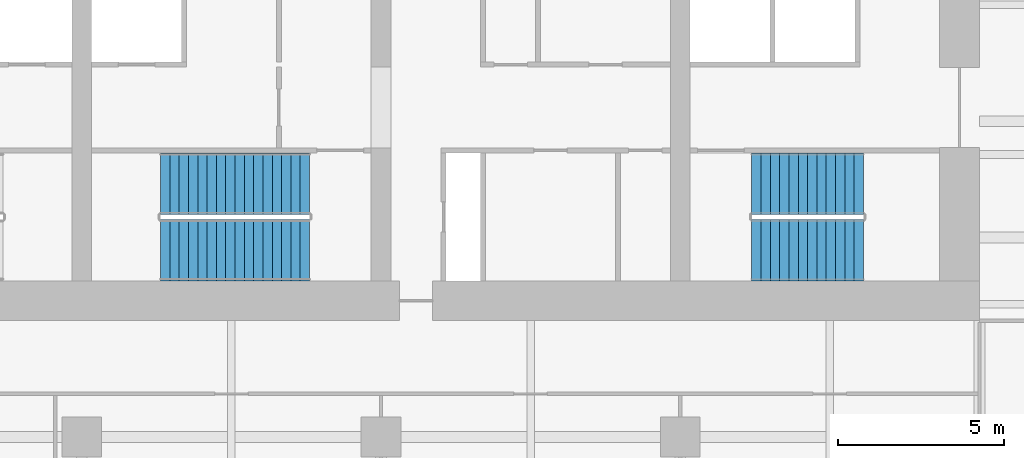
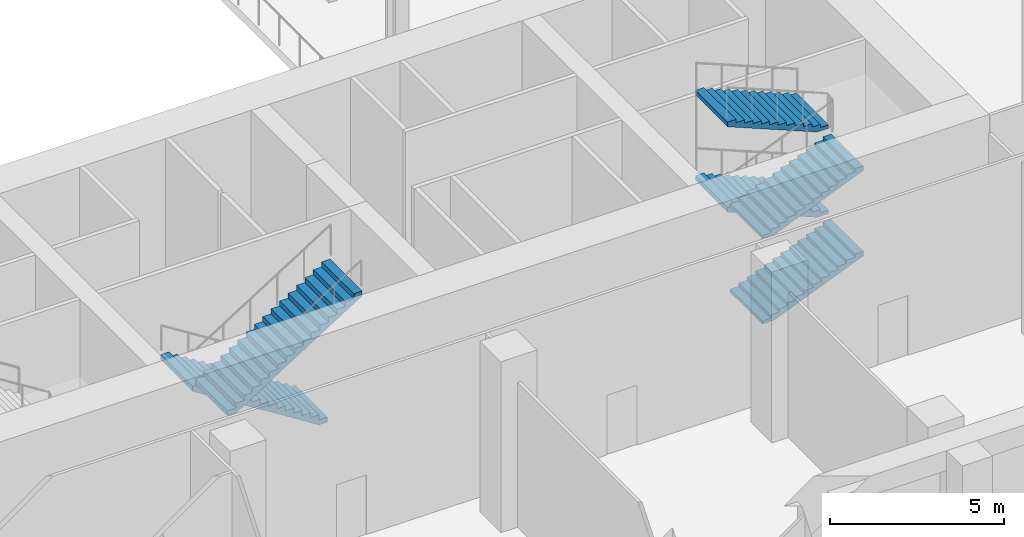
# One storey, part 9 of 13: 6 stair flights, 2 elements without a shape of their own.
"""IFC4 building model written with IfcOpenShell, lengths in metres."""

import ifcopenshell
import ifcopenshell.guid

model = None  # the IFC model being written
_history = None  # IfcOwnerHistory: only IFC2X3 demands one
_inside = {}  # id of a spatial element -> (the spatial element, [elements in it])
_under = {}  # id of a project, library or spatial element -> (it, [spatial elements below it])
_declared = {}  # id of a project -> (the project, [libraries it declares])
_typed = {}  # id of a type object -> (the type object, [elements of that type])
_made_of = {}  # id of a material, layer set ... -> (it, [elements and type objects made of it])


def new_model(schema):
    """Start an empty IFC model of exactly this schema.

    Asked for "IFC4X3", IfcOpenShell would pick the latest addendum, in which some entities
    have other attributes; the version numbers below select the first issue.
    IFC2X3 requires an IfcOwnerHistory on every rooted entity: one is made here for all.
    """
    global model, _history
    if schema == "IFC4X3":
        model = ifcopenshell.file(schema_version=(4, 3, 0, 0))
    else:
        model = ifcopenshell.file(schema=schema)
    _inside.clear()
    _under.clear()
    _declared.clear()
    _typed.clear()
    _made_of.clear()
    _history = None
    if model.schema == "IFC2X3":
        org = make("IfcOrganization", Name="unknown")
        user = make(
            "IfcPersonAndOrganization",
            ThePerson=make("IfcPerson", FamilyName="unknown"),
            TheOrganization=org,
        )
        app = make(
            "IfcApplication",
            ApplicationDeveloper=org,
            Version="unknown",
            ApplicationFullName="unknown",
            ApplicationIdentifier="unknown",
        )
        _history = make(
            "IfcOwnerHistory",
            OwningUser=user,
            OwningApplication=app,
            ChangeAction="ADDED",
            CreationDate=0,
        )
    return model


def make(cls, **values):
    """One entity of the class cls with the attributes given. An attribute that is None is left unset."""
    return model.create_entity(
        cls, **{name: value for name, value in values.items() if value is not None}
    )


def rooted(cls, **values):
    """An entity with a GlobalId (a new one), such as an element, a storey or a relation."""
    return make(cls, GlobalId=ifcopenshell.guid.new(), OwnerHistory=_history, **values)


def si_unit(unit_type, name, prefix=None):
    """IfcSIUnit, for example si_unit("LENGTHUNIT", "METRE", prefix="MILLI")."""
    return make("IfcSIUnit", UnitType=unit_type, Prefix=prefix, Name=name)


def assignment(units):
    """IfcUnitAssignment: the units of a project."""
    return None if units is None else make("IfcUnitAssignment", Units=units)


def point(xyz):
    """IfcCartesianPoint."""
    return None if xyz is None else make("IfcCartesianPoint", Coordinates=xyz)


def direction(xyz):
    """IfcDirection."""
    return None if xyz is None else make("IfcDirection", DirectionRatios=xyz)


def frame(location, z_axis=None, x_axis=None):
    """IfcAxis2Placement3D, a coordinate frame: its origin and axes. An axis left out is left unset."""
    return make(
        "IfcAxis2Placement3D",
        Location=point(location),
        Axis=direction(z_axis),
        RefDirection=direction(x_axis),
    )


def origin():
    """The frame at (0, 0, 0) with its axes left unset."""
    return frame((0.0, 0.0, 0.0))


def place(relative_to, where):
    """IfcLocalPlacement: puts the frame where relative to a parent placement (None: the world)."""
    return make(
        "IfcLocalPlacement", PlacementRelTo=relative_to, RelativePlacement=where
    )


def context(
    kind, dimensions, precision=None, world=None, true_north=None, identifier=None
):
    """IfcGeometricRepresentationContext, for example the 3D "Model" context."""
    return make(
        "IfcGeometricRepresentationContext",
        ContextIdentifier=identifier,
        ContextType=kind,
        CoordinateSpaceDimension=dimensions,
        Precision=precision,
        WorldCoordinateSystem=world,
        TrueNorth=true_north,
    )


def subcontext(parent, identifier, kind, view, scale=None):
    """IfcGeometricRepresentationSubContext, for example "Body" below "Model"."""
    return make(
        "IfcGeometricRepresentationSubContext",
        ContextIdentifier=identifier,
        ContextType=kind,
        ParentContext=parent,
        TargetScale=scale,
        TargetView=view,
    )


def project(units=None, contexts=None):
    """IfcProject with its units and contexts."""
    return rooted(
        "IfcProject",
        Name="project",
        RepresentationContexts=contexts,
        UnitsInContext=assignment(units),
    )


def spatial(cls, under=None, at=None, **own):
    """A site, building, storey or space (cls), placed at a placement, below another one or the project."""
    s = rooted(cls, ObjectPlacement=at, **own)
    if under is not None:
        _under.setdefault(under.id(), (under, []))[1].append(s)
    return s


def polyline(points):
    """IfcPolyline through the points."""
    return make("IfcPolyline", Points=[point(p) for p in points])


def outline(outer, holes=None, kind="AREA"):
    """IfcArbitraryClosedProfileDef: a profile drawn as a closed curve; with holes, ...WithVoids."""
    if holes is None:
        return make("IfcArbitraryClosedProfileDef", ProfileType=kind, OuterCurve=outer)
    return make(
        "IfcArbitraryProfileDefWithVoids",
        ProfileType=kind,
        OuterCurve=outer,
        InnerCurves=holes,
    )


def extrude(swept, where, along, depth):
    """IfcExtrudedAreaSolid: the profile swept, set in the frame where, extruded along a direction by depth."""
    return make(
        "IfcExtrudedAreaSolid",
        SweptArea=swept,
        Position=where,
        ExtrudedDirection=direction(along),
        Depth=depth,
    )


def shape(context_of_items, identifier, shape_type, items):
    """IfcShapeRepresentation: the items that make up one representation, for example the "Body"."""
    return make(
        "IfcShapeRepresentation",
        ContextOfItems=context_of_items,
        RepresentationIdentifier=identifier,
        RepresentationType=shape_type,
        Items=items,
    )


def material(Name=None, Category=None):
    """IfcMaterial."""
    return make("IfcMaterial", Name=Name, Category=Category)


def made_of(thing, what):
    """Note that an element or type object is made of a material, layer set ...; save() writes the relation."""
    if what is not None:
        _made_of.setdefault(what.id(), (what, []))[1].append(thing)
    return thing


def type_object(cls, material=None, **own):
    """A type object (cls), such as IfcWallType, which elements share."""
    return made_of(rooted(cls, **own), material)


def element(
    cls,
    number,
    at=None,
    inside=None,
    cuts=None,
    type_object=None,
    material=None,
    context=None,
    identifier="Body",
    shape_type=None,
    held_by="IfcProductDefinitionShape",
    body=None,
    shapes=None,
    **own,
):
    """One element of the class cls, such as IfcWall. Its Tag is "e" and its number.

    at: its placement. inside: the storey or other place that contains it. cuts: it is an
    opening in that element (IfcRelVoidsElement). A single representation is given by context,
    identifier, shape_type and body (its items); several are given by shapes. held_by: the class
    of the entity that holds the representations. save() writes the other relations.
    """
    e = rooted(cls, Tag="e%d" % number, ObjectPlacement=at, **own)
    if body is not None:
        shapes = [shape(context, identifier, shape_type, body)]
    if shapes is not None:
        e.Representation = make(held_by, Representations=shapes)
    if inside is not None:
        _inside.setdefault(inside.id(), (inside, []))[1].append(e)
    if cuts is not None:
        rooted(
            "IfcRelVoidsElement", RelatingBuildingElement=cuts, RelatedOpeningElement=e
        )
    if type_object is not None:
        _typed.setdefault(type_object.id(), (type_object, []))[1].append(e)
    return made_of(e, material)


def aggregate(whole, parts):
    """IfcRelAggregates: a whole, such as a stair, and the parts it consists of."""
    return rooted("IfcRelAggregates", RelatingObject=whole, RelatedObjects=parts)


def save(model, path):
    """Write the relations noted so far, then the file.

    IfcRelAggregates (storeys below a building ...), IfcRelContainedInSpatialStructure (elements
    in a storey), IfcRelDefinesByType, IfcRelAssociatesMaterial and IfcRelDeclares: one each for
    every whole, place, type object, material and project.
    """
    for whole, parts in _under.values():
        aggregate(whole, parts)
    for where, things in _inside.values():
        rooted(
            "IfcRelContainedInSpatialStructure",
            RelatedElements=things,
            RelatingStructure=where,
        )
    for kind, things in _typed.values():
        rooted("IfcRelDefinesByType", RelatedObjects=things, RelatingType=kind)
    for what, things in _made_of.values():
        rooted("IfcRelAssociatesMaterial", RelatedObjects=things, RelatingMaterial=what)
    for by, libraries in _declared.values():
        rooted("IfcRelDeclares", RelatingContext=by, RelatedDefinitions=libraries)
    model.write(path)


model = new_model("IFC4")

# Units and contexts
model_context = context("Model", 3, precision=1e-05, world=origin(), true_north=direction((0.0, 1.0)))
body_context = subcontext(model_context, "Body", "Model", "MODEL_VIEW")
ifc_project = project(units=[si_unit("LENGTHUNIT", "METRE"), si_unit("AREAUNIT", "SQUARE_METRE"), si_unit("VOLUMEUNIT", "CUBIC_METRE"), si_unit("PLANEANGLEUNIT", "RADIAN"), si_unit("MASSUNIT", "GRAM", prefix="KILO")], contexts=[model_context])

# Site, building, storey
site_placement = place(None, origin())
site = spatial("IfcSite", under=ifc_project, at=site_placement, CompositionType="ELEMENT")
building_placement = place(site_placement, origin())
building = spatial("IfcBuilding", under=site, at=building_placement, Name="Zellij Exchange Tower", CompositionType="ELEMENT")
storey_placement = place(building_placement, frame((0.0, 0.0, 15.0)))
storey = spatial("IfcBuildingStorey", under=building, at=storey_placement, Name="L02", CompositionType="ELEMENT", Elevation=15.0)

# Stair, stair flights
ifc_material = material(Name="Concrete C40/50", Category="concrete")
stair_type = type_object("IfcStairType", Name="CORE-ST exit stair 1850 wide", PredefinedType="HALF_TURN_STAIR", material=ifc_material)
stair_1_placement = place(storey_placement, origin())
stair_1 = element("IfcStair", 1, at=stair_1_placement, inside=storey, type_object=stair_type, Name="L02 exit stair ST4", PredefinedType="HALF_TURN_STAIR")
stair_flight_type_1 = type_object("IfcStairFlightType", Name="CORE-SF flight 1850 riser 115.4 going 280", PredefinedType="STRAIGHT", material=ifc_material)
stair_flight_1_placement = place(storey_placement, frame((20.14990234375, -11.875, 0.0), z_axis=(0.0, 0.0, 1.0), x_axis=(1.0, 0.0, 0.0)))
stair_flight_1 = element("IfcStairFlight", 2, at=stair_flight_1_placement, type_object=stair_flight_type_1, Name="ST4 flight 1", NumberOfRisers=13, NumberOfTreads=12, PredefinedType="STRAIGHT", RiserHeight=0.115384615, TreadLength=0.28, context=body_context, shape_type="SweptSolid", body=[
    extrude(outline(polyline([(0.0, 0.0), (0.0, 0.115478515625), (0.280029296875, 0.115478515625), (0.280029296875, 0.230712890625), (0.56005859375, 0.230712890625), (0.56005859375, 0.34619140625), (0.840087890625, 0.34619140625), (0.840087890625, 0.46142578125), (1.1201171875, 0.46142578125), (1.1201171875, 0.576904296875), (1.39990234375, 0.576904296875), (1.39990234375, 0.6923828125), (1.679931640625, 0.6923828125), (1.679931640625, 0.8076171875), (1.9599609375, 0.8076171875), (1.9599609375, 0.923095703125), (2.239990234375, 0.923095703125), (2.239990234375, 1.03857421875), (2.52001953125, 1.03857421875), (2.52001953125, 1.15380859375), (2.800048828125, 1.15380859375), (2.800048828125, 1.269287109375), (3.080078125, 1.269287109375), (3.080078125, 1.384521484375), (3.360107421875, 1.384521484375), (3.360107421875, 1.5), (3.360107421875, 1.222412109375), (0.3935546875, 0.0), (0.0, 0.0)])), frame((0.0, 0.925048828125, 0.0), z_axis=(0.0, -1.0, 0.0), x_axis=(1.0, 0.0, 0.0)), (0.0, 0.0, 1.0), 1.85009765625),
])
stair_flight_2_placement = place(storey_placement, frame((23.510009765625, -9.875, 1.5), z_axis=(0.0, 0.0, 1.0), x_axis=(-1.0, 0.0, 0.0)))
stair_flight_2 = element("IfcStairFlight", 3, at=stair_flight_2_placement, type_object=stair_flight_type_1, Name="ST4 flight 2", NumberOfRisers=13, NumberOfTreads=12, PredefinedType="STRAIGHT", RiserHeight=0.115384615, TreadLength=0.28, context=body_context, shape_type="SweptSolid", body=[
    extrude(outline(polyline([(0.0, 0.0), (0.0, 0.115478515625), (0.280029296875, 0.115478515625), (0.280029296875, 0.230712890625), (0.56005859375, 0.230712890625), (0.56005859375, 0.34619140625), (0.840087890625, 0.34619140625), (0.840087890625, 0.46142578125), (1.1201171875, 0.46142578125), (1.1201171875, 0.576904296875), (1.39990234375, 0.576904296875), (1.39990234375, 0.6923828125), (1.679931640625, 0.6923828125), (1.679931640625, 0.8076171875), (1.9599609375, 0.8076171875), (1.9599609375, 0.923095703125), (2.239990234375, 0.923095703125), (2.239990234375, 1.03857421875), (2.52001953125, 1.03857421875), (2.52001953125, 1.15380859375), (2.800048828125, 1.15380859375), (2.800048828125, 1.269287109375), (3.080078125, 1.269287109375), (3.080078125, 1.384521484375), (3.360107421875, 1.384521484375), (3.360107421875, 1.5), (3.360107421875, 1.222412109375), (0.3935546875, 0.0), (0.0, 0.0)])), frame((0.0, 0.925048828125, 0.0), z_axis=(0.0, -1.0, 0.0), x_axis=(1.0, 0.0, 0.0)), (0.0, 0.0, 1.0), 1.85009765625),
])
stair_flight_3_placement = place(storey_placement, frame((20.14990234375, -11.875, 3.0), z_axis=(0.0, 0.0, 1.0), x_axis=(1.0, 0.0, 0.0)))
stair_flight_3 = element("IfcStairFlight", 4, at=stair_flight_3_placement, type_object=stair_flight_type_1, Name="ST4 flight 3", NumberOfRisers=13, NumberOfTreads=12, PredefinedType="STRAIGHT", RiserHeight=0.115384615, TreadLength=0.28, context=body_context, shape_type="SweptSolid", body=[
    extrude(outline(polyline([(0.0, 0.0), (0.0, 0.115478515625), (0.280029296875, 0.115478515625), (0.280029296875, 0.230712890625), (0.56005859375, 0.230712890625), (0.56005859375, 0.34619140625), (0.840087890625, 0.34619140625), (0.840087890625, 0.46142578125), (1.1201171875, 0.46142578125), (1.1201171875, 0.576904296875), (1.39990234375, 0.576904296875), (1.39990234375, 0.6923828125), (1.679931640625, 0.6923828125), (1.679931640625, 0.8076171875), (1.9599609375, 0.8076171875), (1.9599609375, 0.923095703125), (2.239990234375, 0.923095703125), (2.239990234375, 1.03857421875), (2.52001953125, 1.03857421875), (2.52001953125, 1.15380859375), (2.800048828125, 1.15380859375), (2.800048828125, 1.269287109375), (3.080078125, 1.269287109375), (3.080078125, 1.384521484375), (3.360107421875, 1.384521484375), (3.360107421875, 1.5), (3.360107421875, 1.222412109375), (0.3935546875, 0.0), (0.0, 0.0)])), frame((0.0, 0.925048828125, 0.0), z_axis=(0.0, -1.0, 0.0), x_axis=(1.0, 0.0, 0.0)), (0.0, 0.0, 1.0), 1.85009765625),
])
stair_flight_4_placement = place(storey_placement, frame((23.510009765625, -9.875, 4.5), z_axis=(0.0, 0.0, 1.0), x_axis=(-1.0, 0.0, 0.0)))
stair_flight_4 = element("IfcStairFlight", 5, at=stair_flight_4_placement, type_object=stair_flight_type_1, Name="ST4 flight 4", NumberOfRisers=13, NumberOfTreads=12, PredefinedType="STRAIGHT", RiserHeight=0.115384615, TreadLength=0.28, context=body_context, shape_type="SweptSolid", body=[
    extrude(outline(polyline([(0.0, 0.0), (0.0, 0.115478515625), (0.280029296875, 0.115478515625), (0.280029296875, 0.230712890625), (0.56005859375, 0.230712890625), (0.56005859375, 0.34619140625), (0.840087890625, 0.34619140625), (0.840087890625, 0.46142578125), (1.1201171875, 0.46142578125), (1.1201171875, 0.576904296875), (1.39990234375, 0.576904296875), (1.39990234375, 0.6923828125), (1.679931640625, 0.6923828125), (1.679931640625, 0.8076171875), (1.9599609375, 0.8076171875), (1.9599609375, 0.923095703125), (2.239990234375, 0.923095703125), (2.239990234375, 1.03857421875), (2.52001953125, 1.03857421875), (2.52001953125, 1.15380859375), (2.800048828125, 1.15380859375), (2.800048828125, 1.269287109375), (3.080078125, 1.269287109375), (3.080078125, 1.384521484375), (3.360107421875, 1.384521484375), (3.360107421875, 1.5), (3.360107421875, 1.222412109375), (0.3935546875, 0.0), (0.0, 0.0)])), frame((0.0, 0.925048828125, 0.0), z_axis=(0.0, -1.0, 0.0), x_axis=(1.0, 0.0, 0.0)), (0.0, 0.0, 1.0), 1.85009765625),
])
aggregate(stair_1, [stair_flight_1, stair_flight_2, stair_flight_3, stair_flight_4])

stair_2_placement = place(storey_placement, origin())
stair_2 = element("IfcStair", 6, at=stair_2_placement, inside=storey, type_object=stair_type, Name="L02 exit stair ST3", PredefinedType="HALF_TURN_STAIR")
stair_flight_type_2 = type_object("IfcStairFlightType", Name="CORE-SF flight 1850 riser 176.5 going 280", PredefinedType="STRAIGHT", material=ifc_material)
stair_flight_5_placement = place(storey_placement, frame((6.85009765625, -9.875, 0.0), z_axis=(0.0, 0.0, 1.0), x_axis=(-1.0, 0.0, 0.0)))
stair_flight_5 = element("IfcStairFlight", 7, at=stair_flight_5_placement, type_object=stair_flight_type_2, Name="ST3 flight 1", NumberOfRisers=17, NumberOfTreads=16, PredefinedType="STRAIGHT", RiserHeight=0.176470588, TreadLength=0.28, context=body_context, shape_type="SweptSolid", body=[
    extrude(outline(polyline([(0.0, 0.0), (0.0, 0.176513671875), (0.280029296875, 0.176513671875), (0.280029296875, 0.35302734375), (0.56005859375, 0.35302734375), (0.56005859375, 0.529296875), (0.840087890625, 0.529296875), (0.840087890625, 0.705810546875), (1.1201171875, 0.705810546875), (1.1201171875, 0.88232421875), (1.39990234375, 0.88232421875), (1.39990234375, 1.058837890625), (1.679931640625, 1.058837890625), (1.679931640625, 1.2353515625), (1.9599609375, 1.2353515625), (1.9599609375, 1.411865234375), (2.239990234375, 1.411865234375), (2.239990234375, 1.588134765625), (2.52001953125, 1.588134765625), (2.52001953125, 1.7646484375), (2.800048828125, 1.7646484375), (2.800048828125, 1.941162109375), (3.080078125, 1.941162109375), (3.080078125, 2.11767578125), (3.360107421875, 2.11767578125), (3.360107421875, 2.294189453125), (3.639892578125, 2.294189453125), (3.639892578125, 2.470703125), (3.919921875, 2.470703125), (3.919921875, 2.64697265625), (4.199951171875, 2.64697265625), (4.199951171875, 2.823486328125), (4.47998046875, 2.823486328125), (4.47998046875, 3.0), (4.47998046875, 2.646240234375), (0.28125, 0.0), (0.0, 0.0)])), frame((0.0, 0.925048828125, 0.0), z_axis=(0.0, -1.0, 0.0), x_axis=(1.0, 0.0, 0.0)), (0.0, 0.0, 1.0), 1.85009765625),
])
stair_flight_6_placement = place(storey_placement, frame((2.3701171875, -11.875, 3.0), z_axis=(0.0, 0.0, 1.0), x_axis=(1.0, 0.0, 0.0)))
stair_flight_6 = element("IfcStairFlight", 8, at=stair_flight_6_placement, type_object=stair_flight_type_2, Name="ST3 flight 2", NumberOfRisers=17, NumberOfTreads=16, PredefinedType="STRAIGHT", RiserHeight=0.176470588, TreadLength=0.28, context=body_context, shape_type="SweptSolid", body=[
    extrude(outline(polyline([(0.0, 0.0), (0.0, 0.176513671875), (0.280029296875, 0.176513671875), (0.280029296875, 0.35302734375), (0.56005859375, 0.35302734375), (0.56005859375, 0.529296875), (0.840087890625, 0.529296875), (0.840087890625, 0.705810546875), (1.1201171875, 0.705810546875), (1.1201171875, 0.88232421875), (1.39990234375, 0.88232421875), (1.39990234375, 1.058837890625), (1.679931640625, 1.058837890625), (1.679931640625, 1.2353515625), (1.9599609375, 1.2353515625), (1.9599609375, 1.411865234375), (2.239990234375, 1.411865234375), (2.239990234375, 1.588134765625), (2.52001953125, 1.588134765625), (2.52001953125, 1.7646484375), (2.800048828125, 1.7646484375), (2.800048828125, 1.941162109375), (3.080078125, 1.941162109375), (3.080078125, 2.11767578125), (3.360107421875, 2.11767578125), (3.360107421875, 2.294189453125), (3.639892578125, 2.294189453125), (3.639892578125, 2.470703125), (3.919921875, 2.470703125), (3.919921875, 2.64697265625), (4.199951171875, 2.64697265625), (4.199951171875, 2.823486328125), (4.47998046875, 2.823486328125), (4.47998046875, 3.0), (4.47998046875, 2.646240234375), (0.28125, 0.0), (0.0, 0.0)])), frame((0.0, 0.925048828125, 0.0), z_axis=(0.0, -1.0, 0.0), x_axis=(1.0, 0.0, 0.0)), (0.0, 0.0, 1.0), 1.85009765625),
])
aggregate(stair_2, [stair_flight_5, stair_flight_6])

save(model, "model.ifc")
